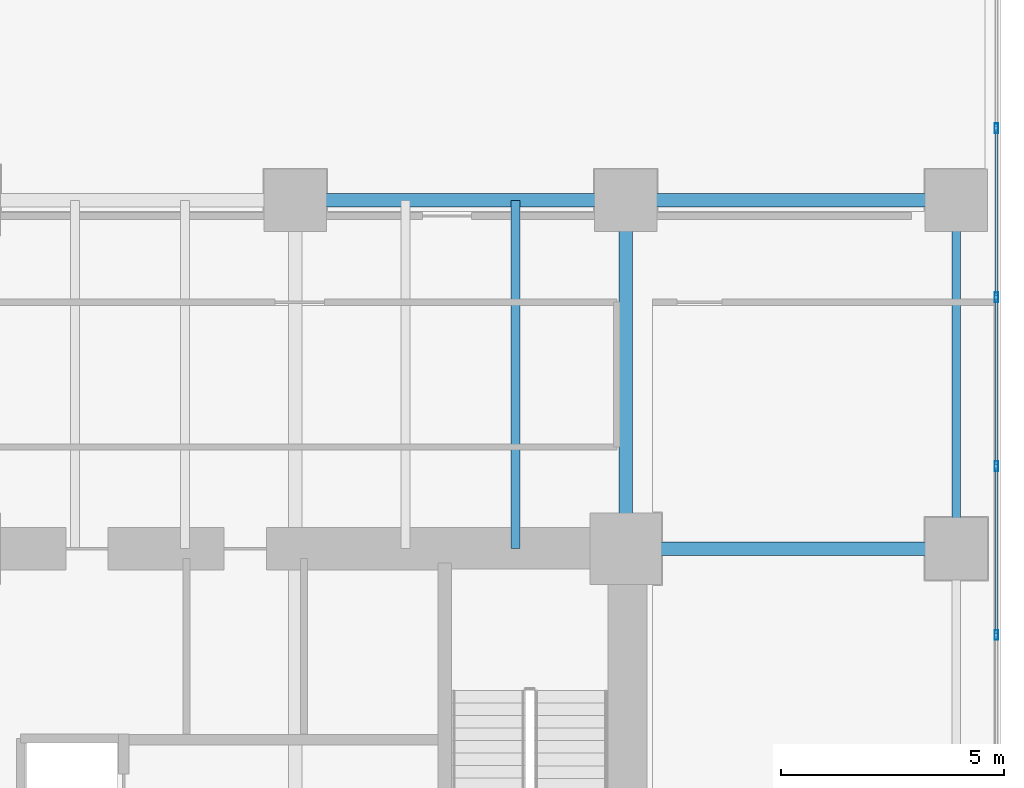
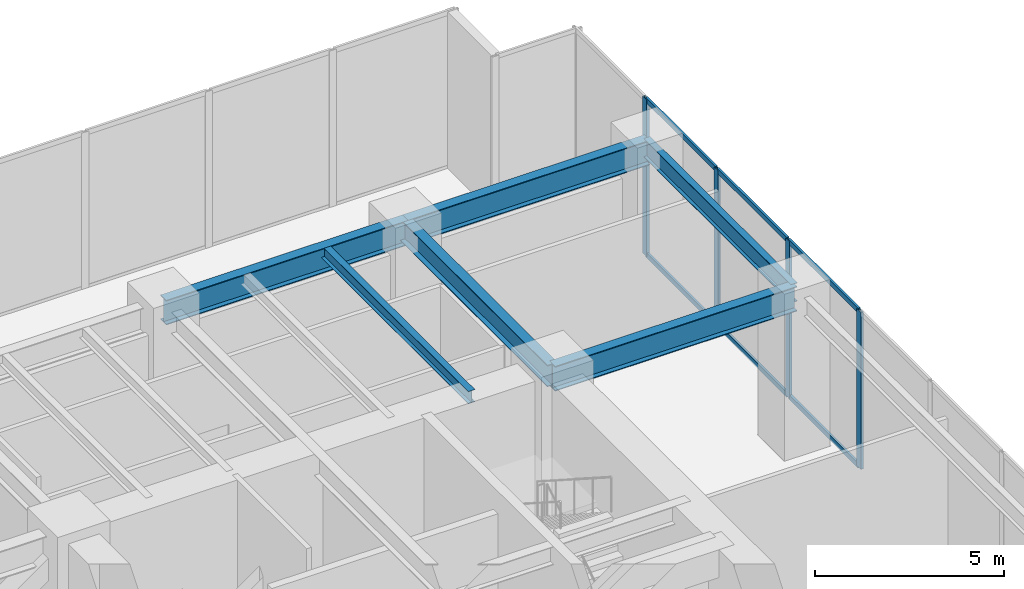
# One storey, part 22 of 35: 10 members, 6 beams, 1 element without a shape of its own.
"""IFC4 building model written with IfcOpenShell, lengths in metres."""

from ifc_helpers import new_model, si_unit, direction, frame, origin, origin_2d, place, context, subcontext, project, spatial, hollow_rectangle, i_section, extrude, source, transform, mapped, material, layer, layer_set, material_profile, profile_set, type_object, type_shapes, element, aggregate, save


model = new_model("IFC4")

# Units and contexts
model_context = context("Model", 3, precision=1e-05, world=origin(), true_north=direction((0.0, 1.0)))
body_context = subcontext(model_context, "Body", "Model", "MODEL_VIEW")
ifc_project = project(units=[si_unit("LENGTHUNIT", "METRE"), si_unit("AREAUNIT", "SQUARE_METRE"), si_unit("VOLUMEUNIT", "CUBIC_METRE"), si_unit("PLANEANGLEUNIT", "RADIAN"), si_unit("MASSUNIT", "GRAM", prefix="KILO")], contexts=[model_context])

# Site, building, storey
site_placement = place(None, origin())
site = spatial("IfcSite", under=ifc_project, at=site_placement, CompositionType="ELEMENT")
building_placement = place(site_placement, origin())
building = spatial("IfcBuilding", under=site, at=building_placement, Name="Haelvirn Gate Laboratories", CompositionType="ELEMENT")
storey_placement = place(building_placement, frame((0.0, 0.0, 19.800048828125)))
storey = spatial("IfcBuildingStorey", under=building, at=storey_placement, Name="L05", CompositionType="ELEMENT", Elevation=19.800048828125)

# Beams
ifc_material_1 = material(Name="Steel SM420", Category="steel")
ifc_material_profile_1 = material_profile(ifc_material_1, i_section(OverallWidth=0.300048828125, OverallDepth=0.800048828125, WebThickness=0.013916015625, FlangeThickness=0.02587890625, at=origin_2d()), Name="H-800x300x14x26")
ifc_profile_set_1 = profile_set([ifc_material_profile_1], Name="Steel SM420")
beam_type_1 = type_object("IfcBeamType", Name="BM-G-800", PredefinedType="BEAM", material=ifc_profile_set_1)
shared_shape_1 = source(origin(), body_context, "Body", "SweptSolid", [
    extrude(i_section(OverallWidth=0.300048828125, OverallDepth=0.800048828125, WebThickness=0.013916015625, FlangeThickness=0.02587890625, at=origin_2d()), origin(), (0.0, 0.0, 1.0), 7.400146484375),
])
for number, where, z_axis, x_axis, name in (
    (1, (67.39990234375, 33.800048828125, 4.679931640625), (1.0, 0.0, 0.0), (0.0, 1.0, 0.0), "L05 Primary Girder Y33.8 (67.4-74.8)"),
    (2, (67.39990234375, 41.60009765625, 4.679931640625), (1.0, 0.0, 0.0), (0.0, 1.0, 0.0), "L05 Primary Girder Y41.6 (67.4-74.8)"),
):
    element("IfcBeam", number, at=place(storey_placement, frame(where, z_axis=z_axis, x_axis=x_axis)), inside=storey, type_object=beam_type_1, Name=name, PredefinedType="BEAM", context=body_context, shape_type="MappedRepresentation", body=[
        mapped(shared_shape_1, transform((0.0, 0.0, 0.0), scale=1.0)),
    ])
shared_shape_2 = source(origin(), body_context, "Body", "SweptSolid", [
    extrude(i_section(OverallWidth=0.300048828125, OverallDepth=0.800048828125, WebThickness=0.013916015625, FlangeThickness=0.02587890625, at=origin_2d()), origin(), (0.0, 0.0, 1.0), 7.39990234375),
])
type_shapes(beam_type_1, [shared_shape_1, shared_shape_2])
beam_1_placement = place(storey_placement, frame((60.0, 41.60009765625, 4.679931640625), z_axis=(1.0, 0.0, 0.0), x_axis=(0.0, 1.0, 0.0)))
element("IfcBeam", 3, at=beam_1_placement, inside=storey, type_object=beam_type_1, Name="L05 Primary Girder Y41.6 (60.0-67.4)", PredefinedType="BEAM", context=body_context, shape_type="MappedRepresentation", body=[
    mapped(shared_shape_2, transform((0.0, 0.0, 0.0), scale=1.0)),
])
ifc_material_2 = material(Name="Steel SM355", Category="steel")
ifc_material_profile_2 = material_profile(ifc_material_2, i_section(OverallWidth=0.199951171875, OverallDepth=0.60009765625, WebThickness=0.010986328125, FlangeThickness=0.01708984375, at=origin_2d()), Name="H-600x200x11x17")
ifc_profile_set_2 = profile_set([ifc_material_profile_2], Name="Steel SM355")
beam_type_2 = type_object("IfcBeamType", Name="BM-SP-600", PredefinedType="SPANDREL", material=ifc_profile_set_2)
shared_shape_3 = source(origin(), body_context, "Body", "SweptSolid", [
    extrude(i_section(OverallWidth=0.199951171875, OverallDepth=0.60009765625, WebThickness=0.010986328125, FlangeThickness=0.01708984375, at=origin_2d()), origin(), (0.0, 0.0, 1.0), 7.800048828125),
])
type_shapes(beam_type_2, [shared_shape_3])
beam_2_placement = place(storey_placement, frame((74.800048828125, 33.800048828125, 4.780029296875), z_axis=(0.0, 1.0, 0.0), x_axis=(-1.0, 0.0, 0.0)))
element("IfcBeam", 4, at=beam_2_placement, inside=storey, type_object=beam_type_2, Name="L05 Perimeter Spandrel X74.8 (33.8-41.6)", PredefinedType="SPANDREL", context=body_context, shape_type="MappedRepresentation", body=[
    mapped(shared_shape_3, transform((0.0, 0.0, 0.0), scale=1.0)),
])
ifc_material_profile_3 = material_profile(ifc_material_2, i_section(OverallWidth=0.199951171875, OverallDepth=0.39990234375, WebThickness=0.008056640625, FlangeThickness=0.012939453125, at=origin_2d()), Name="H-400x200x8x13")
ifc_profile_set_3 = profile_set([ifc_material_profile_3], Name="Steel SM355")
beam_type_3 = type_object("IfcBeamType", Name="BM-J-400", PredefinedType="JOIST", material=ifc_profile_set_3)
shared_shape_4 = source(origin(), body_context, "Body", "SweptSolid", [
    extrude(i_section(OverallWidth=0.199951171875, OverallDepth=0.39990234375, WebThickness=0.008056640625, FlangeThickness=0.012939453125, at=origin_2d()), origin(), (0.0, 0.0, 1.0), 7.800048828125),
])
type_shapes(beam_type_3, [shared_shape_4])
beam_3_placement = place(storey_placement, frame((64.929931640625, 33.800048828125, 4.8798828125), z_axis=(0.0, 1.0, 0.0), x_axis=(-1.0, 0.0, 0.0)))
element("IfcBeam", 5, at=beam_3_placement, inside=storey, type_object=beam_type_3, Name="L05 Composite Lab Joist North X64.93", PredefinedType="JOIST", context=body_context, shape_type="MappedRepresentation", body=[
    mapped(shared_shape_4, transform((0.0, 0.0, 0.0), scale=1.0)),
])
ifc_material_profile_4 = material_profile(ifc_material_2, i_section(OverallWidth=0.300048828125, OverallDepth=0.699951171875, WebThickness=0.012939453125, FlangeThickness=0.02392578125, at=origin_2d()), Name="H-700x300x13x24")
ifc_profile_set_4 = profile_set([ifc_material_profile_4], Name="Steel SM355")
beam_type_4 = type_object("IfcBeamType", Name="BM-G-700", PredefinedType="BEAM", material=ifc_profile_set_4)
shared_shape_5 = source(origin(), body_context, "Body", "SweptSolid", [
    extrude(i_section(OverallWidth=0.300048828125, OverallDepth=0.699951171875, WebThickness=0.012939453125, FlangeThickness=0.02392578125, at=origin_2d()), origin(), (0.0, 0.0, 1.0), 7.800048828125),
])
type_shapes(beam_type_4, [shared_shape_5])
beam_4_placement = place(storey_placement, frame((67.39990234375, 33.800048828125, 4.72998046875), z_axis=(0.0, 1.0, 0.0), x_axis=(-1.0, 0.0, 0.0)))
element("IfcBeam", 6, at=beam_4_placement, inside=storey, type_object=beam_type_4, Name="L05 Frame Girder X67.4 (33.8-41.6)", PredefinedType="BEAM", context=body_context, shape_type="MappedRepresentation", body=[
    mapped(shared_shape_5, transform((0.0, 0.0, 0.0), scale=1.0)),
])

# Curtain wall, members
ifc_material_3 = material(Name="Anodised bronze unitised aluminium & triple low-E glass", Category="aluminium")
ifc_layer = layer(ifc_material_3, 0.18798828125, Name="CW-SYS-1")
ifc_layer_set = layer_set([ifc_layer], Name="Anodised bronze unitised aluminium & triple low-E glass")
curtain_wall_type = type_object("IfcCurtainWallType", Name="CW-SYS-1", PredefinedType="NOTDEFINED", material=ifc_layer_set)
curtain_wall_placement = place(storey_placement, origin())
curtain_wall = element("IfcCurtainWall", 7, at=curtain_wall_placement, inside=storey, type_object=curtain_wall_type, Name="L05 Unitised Curtain Wall CW-L05-P0-E03", PredefinedType="NOTDEFINED")
ifc_material_4 = material(Name="Extruded aluminium 6063-T6 (anodised bronze)", Category="aluminium")
ifc_material_profile_5 = material_profile(ifc_material_4, hollow_rectangle(XDim=0.070068359375, YDim=0.159912109375, WallThickness=0.0048828125, at=origin_2d()), Name="CWT-160x70x5")
ifc_profile_set_5 = profile_set([ifc_material_profile_5], Name="Extruded aluminium 6063-T6 (anodised bronze)")
member_type_1 = type_object("IfcMemberType", Name="CWT-T160", PredefinedType="USERDEFINED", material=ifc_profile_set_5)
shared_shape_6 = source(origin(), body_context, "Body", "SweptSolid", [
    extrude(hollow_rectangle(XDim=0.070068359375, YDim=0.159912109375, WallThickness=0.0048828125, at=origin_2d()), origin(), (0.0, 0.0, 1.0), 3.703369140625),
])
type_shapes(member_type_1, [shared_shape_6])
member_1_placement = place(storey_placement, frame((75.699951171875, 31.90673828125, 0.034912109375), z_axis=(0.0, 1.0, 0.0), x_axis=(-1.0, 0.0, 0.0)))
member_1 = element("IfcMember", 8, at=member_1_placement, type_object=member_type_1, Name="CW1 transom 9.1", ObjectType="TRANSOM", PredefinedType="USERDEFINED", context=body_context, shape_type="MappedRepresentation", body=[
    mapped(shared_shape_6, transform((0.0, 0.0, 0.0), scale=1.0)),
])
member_2_placement = place(storey_placement, frame((75.699951171875, 31.90673828125, 5.044921875), z_axis=(0.0, 1.0, 0.0), x_axis=(-1.0, 0.0, 0.0)))
member_2 = element("IfcMember", 9, at=member_2_placement, type_object=member_type_1, Name="CW1 transom 9.2", ObjectType="TRANSOM", PredefinedType="USERDEFINED", context=body_context, shape_type="MappedRepresentation", body=[
    mapped(shared_shape_6, transform((0.0, 0.0, 0.0), scale=1.0)),
])
member_3_placement = place(storey_placement, frame((75.699951171875, 35.68994140625, 0.034912109375), z_axis=(0.0, 1.0, 0.0), x_axis=(-1.0, 0.0, 0.0)))
member_3 = element("IfcMember", 10, at=member_3_placement, type_object=member_type_1, Name="CW1 transom 10.1", ObjectType="TRANSOM", PredefinedType="USERDEFINED", context=body_context, shape_type="MappedRepresentation", body=[
    mapped(shared_shape_6, transform((0.0, 0.0, 0.0), scale=1.0)),
])
member_4_placement = place(storey_placement, frame((75.699951171875, 35.68994140625, 5.044921875), z_axis=(0.0, 1.0, 0.0), x_axis=(-1.0, 0.0, 0.0)))
member_4 = element("IfcMember", 11, at=member_4_placement, type_object=member_type_1, Name="CW1 transom 10.2", ObjectType="TRANSOM", PredefinedType="USERDEFINED", context=body_context, shape_type="MappedRepresentation", body=[
    mapped(shared_shape_6, transform((0.0, 0.0, 0.0), scale=1.0)),
])
member_5_placement = place(storey_placement, frame((75.699951171875, 39.473388671875, 0.034912109375), z_axis=(0.0, 1.0, 0.0), x_axis=(-1.0, 0.0, 0.0)))
member_5 = element("IfcMember", 12, at=member_5_placement, type_object=member_type_1, Name="CW1 transom 11.1", ObjectType="TRANSOM", PredefinedType="USERDEFINED", context=body_context, shape_type="MappedRepresentation", body=[
    mapped(shared_shape_6, transform((0.0, 0.0, 0.0), scale=1.0)),
])
member_6_placement = place(storey_placement, frame((75.699951171875, 39.473388671875, 5.044921875), z_axis=(0.0, 1.0, 0.0), x_axis=(-1.0, 0.0, 0.0)))
member_6 = element("IfcMember", 13, at=member_6_placement, type_object=member_type_1, Name="CW1 transom 11.2", ObjectType="TRANSOM", PredefinedType="USERDEFINED", context=body_context, shape_type="MappedRepresentation", body=[
    mapped(shared_shape_6, transform((0.0, 0.0, 0.0), scale=1.0)),
])
ifc_material_profile_6 = material_profile(ifc_material_4, hollow_rectangle(XDim=0.080078125, YDim=0.219970703125, WallThickness=0.006103515625, at=origin_2d()), Name="CWM-220x80x6")
ifc_profile_set_6 = profile_set([ifc_material_profile_6], Name="Extruded aluminium 6063-T6 (anodised bronze)")
member_type_2 = type_object("IfcMemberType", Name="CWM-T220", PredefinedType="MULLION", material=ifc_profile_set_6)
shared_shape_7 = source(origin(), body_context, "Body", "SweptSolid", [
    extrude(hollow_rectangle(XDim=0.080078125, YDim=0.219970703125, WallThickness=0.006103515625, at=origin_2d()), origin(), (0.0, 0.0, 1.0), 5.079833984375),
])
type_shapes(member_type_2, [shared_shape_7])
member_7_placement = place(storey_placement, frame((75.699951171875, 31.86669921875, 0.0), z_axis=(0.0, 0.0, 1.0), x_axis=(-1.0, 0.0, 0.0)))
member_7 = element("IfcMember", 14, at=member_7_placement, type_object=member_type_2, Name="CW1 mullion 9", PredefinedType="MULLION", context=body_context, shape_type="MappedRepresentation", body=[
    mapped(shared_shape_7, transform((0.0, 0.0, 0.0), scale=1.0)),
])
member_8_placement = place(storey_placement, frame((75.699951171875, 35.64990234375, 0.0), z_axis=(0.0, 0.0, 1.0), x_axis=(-1.0, 0.0, 0.0)))
member_8 = element("IfcMember", 15, at=member_8_placement, type_object=member_type_2, Name="CW1 mullion 10", PredefinedType="MULLION", context=body_context, shape_type="MappedRepresentation", body=[
    mapped(shared_shape_7, transform((0.0, 0.0, 0.0), scale=1.0)),
])
member_9_placement = place(storey_placement, frame((75.699951171875, 39.433349609375, 0.0), z_axis=(0.0, 0.0, 1.0), x_axis=(-1.0, 0.0, 0.0)))
member_9 = element("IfcMember", 16, at=member_9_placement, type_object=member_type_2, Name="CW1 mullion 11", PredefinedType="MULLION", context=body_context, shape_type="MappedRepresentation", body=[
    mapped(shared_shape_7, transform((0.0, 0.0, 0.0), scale=1.0)),
])
member_10_placement = place(storey_placement, frame((75.699951171875, 43.216552734375, 0.0), z_axis=(0.0, 0.0, 1.0), x_axis=(-1.0, 0.0, 0.0)))
member_10 = element("IfcMember", 17, at=member_10_placement, type_object=member_type_2, Name="CW1 mullion 12", PredefinedType="MULLION", context=body_context, shape_type="MappedRepresentation", body=[
    mapped(shared_shape_7, transform((0.0, 0.0, 0.0), scale=1.0)),
])
aggregate(curtain_wall, [member_7, member_8, member_9, member_10, member_1, member_2, member_3, member_4, member_5, member_6])

save(model, "model.ifc")
